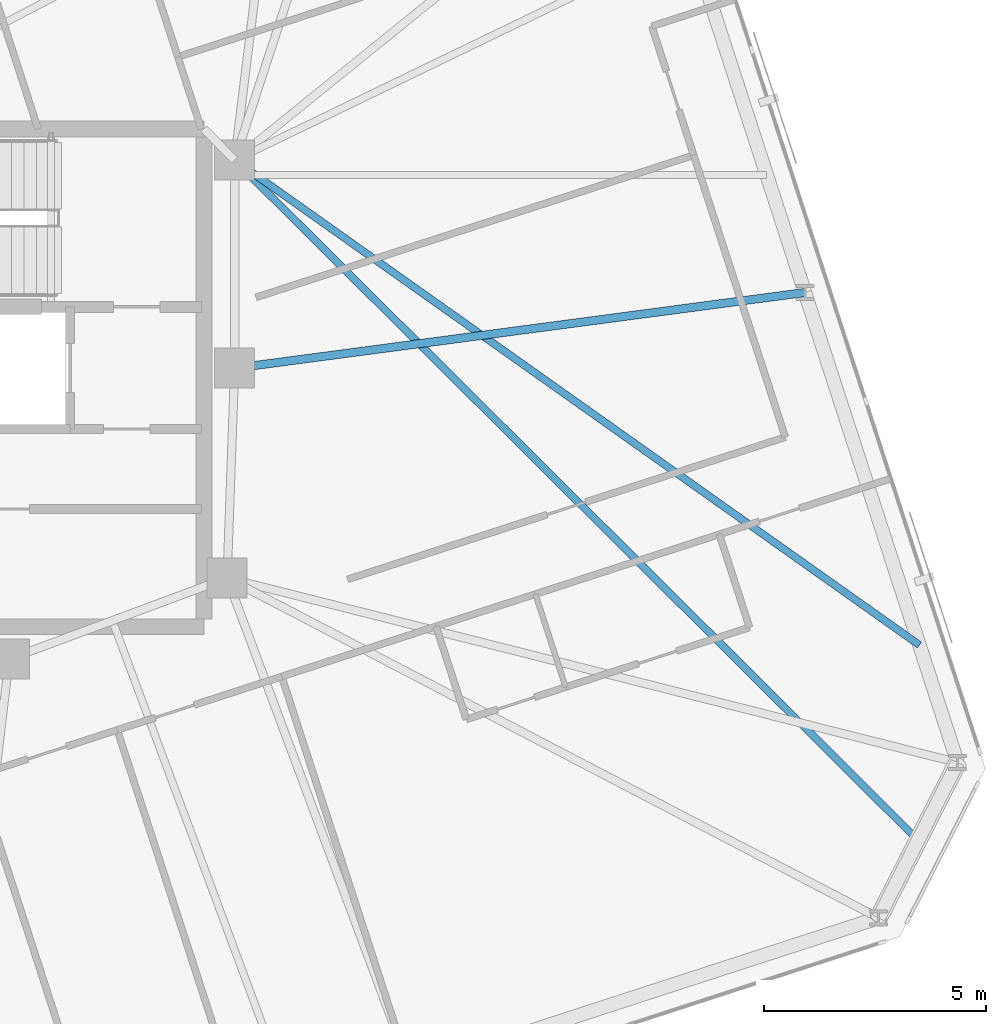
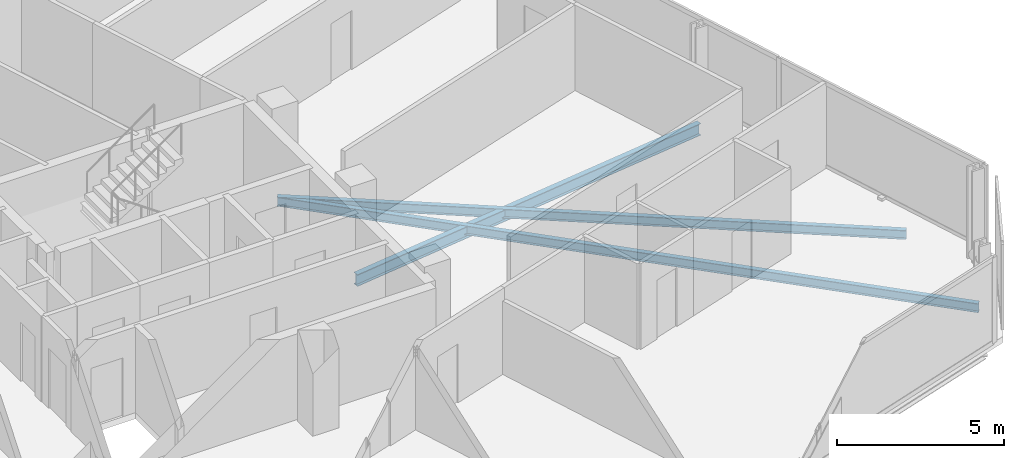
# One storey, part 8 of 19: 3 beams.
"""IFC4 building model written with IfcOpenShell, lengths in metres."""

from ifc_helpers import new_model, si_unit, direction, frame, origin, origin_2d, place, context, subcontext, project, spatial, i_section, extrude, material, material_profile, profile_set, type_object, element, save


model = new_model("IFC4")

# Units and contexts
model_context = context("Model", 3, precision=1e-05, world=origin(), true_north=direction((0.0, 1.0)))
body_context = subcontext(model_context, "Body", "Model", "MODEL_VIEW")
ifc_project = project(units=[si_unit("LENGTHUNIT", "METRE"), si_unit("AREAUNIT", "SQUARE_METRE"), si_unit("VOLUMEUNIT", "CUBIC_METRE"), si_unit("PLANEANGLEUNIT", "RADIAN"), si_unit("MASSUNIT", "GRAM", prefix="KILO")], contexts=[model_context])

# Site, building, storey
site_placement = place(None, origin())
site = spatial("IfcSite", under=ifc_project, at=site_placement, CompositionType="ELEMENT")
building_placement = place(site_placement, origin())
building = spatial("IfcBuilding", under=site, at=building_placement, Name="Menara Jurai Vektor", CompositionType="ELEMENT")
storey_placement = place(building_placement, frame((0.0, 0.0, 234.35009765625)))
storey = spatial("IfcBuildingStorey", under=building, at=storey_placement, Name="L62", CompositionType="ELEMENT", Elevation=234.35009765625)

# Beams
ifc_material = material(Name="Steel S355", Category="steel")
ifc_material_profile_1 = material_profile(ifc_material, i_section(OverallWidth=0.18505859375, OverallDepth=0.429931640625, WebThickness=0.010986328125, FlangeThickness=0.01806640625, at=origin_2d()), Name="PG 430x185x76")
ifc_profile_set_1 = profile_set([ifc_material_profile_1], Name="Steel S355")
beam_type_1 = type_object("IfcBeamType", Name="STR-BM-430", PredefinedType="BEAM", material=ifc_profile_set_1)
beam_1_placement = place(storey_placement, frame((28.07763671875, 1.92236328125, -0.440185546875), z_axis=(-0.99130829243, -0.131559375797, 0.0), x_axis=(0.131559375797, -0.99130829243, 0.0)))
element("IfcBeam", 1, at=beam_1_placement, inside=storey, type_object=beam_type_1, Name="Radial Floor Girder L62-E2", PredefinedType="BEAM", context=body_context, shape_type="SweptSolid", body=[
    extrude(i_section(OverallWidth=0.18505859375, OverallDepth=0.429931640625, WebThickness=0.010986328125, FlangeThickness=0.01806640625, at=origin_2d()), origin(), (0.0, 0.0, 1.0), 12.940185546875),
])
ifc_material_profile_2 = material_profile(ifc_material, i_section(OverallWidth=0.1650390625, OverallDepth=0.330078125, WebThickness=0.009033203125, FlangeThickness=0.013916015625, at=origin_2d()), Name="PG 330x165x46")
ifc_profile_set_2 = profile_set([ifc_material_profile_2], Name="Steel S355")
beam_type_2 = type_object("IfcBeamType", Name="STR-JS-330", PredefinedType="JOIST", material=ifc_profile_set_2)
beam_2_placement = place(storey_placement, frame((30.62353515625, -10.398681640625, -0.39013671875), z_axis=(-0.70883256901, 0.705376771032, 0.0), x_axis=(-0.705376771032, -0.70883256901, 0.0)))
element("IfcBeam", 2, at=beam_2_placement, inside=storey, type_object=beam_type_2, Name="Radial Secondary Floor Joist L62-JS09", PredefinedType="JOIST", context=body_context, shape_type="SweptSolid", body=[
    extrude(i_section(OverallWidth=0.1650390625, OverallDepth=0.330078125, WebThickness=0.009033203125, FlangeThickness=0.013916015625, at=origin_2d()), origin(), (0.0, 0.0, 1.0), 21.6884765625),
])
beam_3_placement = place(storey_placement, frame((30.654296875, -6.00830078125, -0.39013671875), z_axis=(-0.816103783972, 0.577905367501, 0.0), x_axis=(-0.577905367501, -0.816103783972, 0.0)))
element("IfcBeam", 3, at=beam_3_placement, inside=storey, type_object=beam_type_2, Name="Radial Secondary Floor Joist L62-JS10", PredefinedType="JOIST", context=body_context, shape_type="SweptSolid", body=[
    extrude(i_section(OverallWidth=0.1650390625, OverallDepth=0.330078125, WebThickness=0.009033203125, FlangeThickness=0.013916015625, at=origin_2d()), origin(), (0.0, 0.0, 1.0), 18.87548828125),
])

save(model, "model.ifc")
